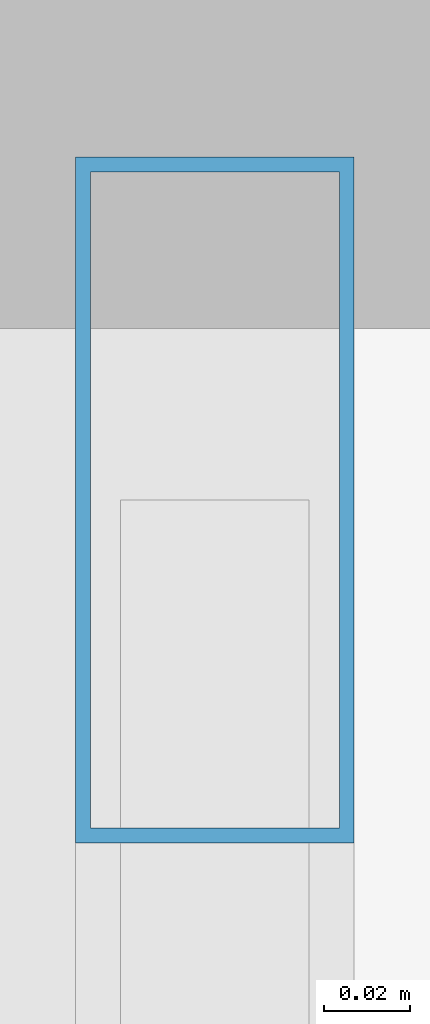
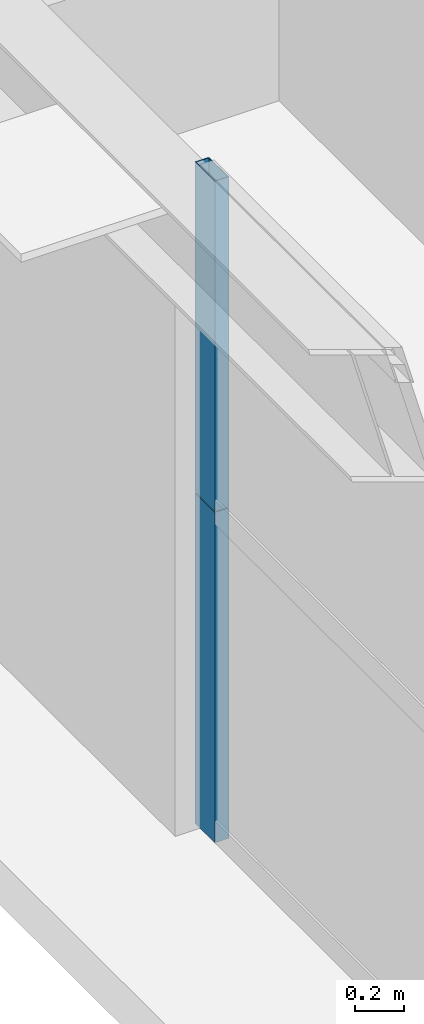
# One storey, part 22 of 37: 2 members, 1 element without a shape of its own.
"""IFC4 building model written with IfcOpenShell, lengths in metres."""

from ifc_helpers import new_model, si_unit, direction, frame, origin, origin_2d, place, context, subcontext, project, spatial, hollow_rectangle, extrude, source, transform, mapped, material, layer, layer_set, material_profile, profile_set, type_object, element, aggregate, save


model = new_model("IFC4")

# Units and contexts
model_context = context("Model", 3, precision=1e-05, world=origin(), true_north=direction((0.0, 1.0)))
body_context = subcontext(model_context, "Body", "Model", "MODEL_VIEW")
ifc_project = project(units=[si_unit("LENGTHUNIT", "METRE"), si_unit("AREAUNIT", "SQUARE_METRE"), si_unit("VOLUMEUNIT", "CUBIC_METRE"), si_unit("PLANEANGLEUNIT", "RADIAN"), si_unit("MASSUNIT", "GRAM", prefix="KILO"), si_unit("THERMODYNAMICTEMPERATUREUNIT", "KELVIN"), si_unit("POWERUNIT", "WATT")], contexts=[model_context])

# Site, building, storey
site_placement = place(None, origin())
site = spatial("IfcSite", under=ifc_project, at=site_placement, CompositionType="ELEMENT")
building_placement = place(site_placement, origin())
building = spatial("IfcBuilding", under=site, at=building_placement, Name="Yuzanri Waterfront Tower", CompositionType="ELEMENT")
storey_placement = place(building_placement, frame((0.0, 0.0, 252.10009765625)))
storey = spatial("IfcBuildingStorey", under=building, at=storey_placement, Name="L67", CompositionType="ELEMENT", Elevation=252.10009765625)

# Curtain wall, members
ifc_material_1 = material(Name="Anodized Architectural Bronze", Category="metal")
ifc_layer = layer(ifc_material_1, 0.159912109375)
ifc_layer_set = layer_set([ifc_layer], Name="Anodized Architectural Bronze")
curtain_wall_type = type_object("IfcCurtainWallType", Name="Anodized Bronze Mid-Rise Residential Acoustic Unitized Curtain Wall 7200", PredefinedType="NOTDEFINED", material=ifc_layer_set)
curtain_wall_placement = place(storey_placement, origin())
curtain_wall = element("IfcCurtainWall", 1, at=curtain_wall_placement, inside=storey, type_object=curtain_wall_type, Name="L67 Curtain Wall CW-L67-WR", PredefinedType="NOTDEFINED")
ifc_material_2 = material(Name="Anodized Architectural Bronze", Category="metal")
ifc_material_profile = material_profile(ifc_material_2, hollow_rectangle(XDim=0.06494140625, YDim=0.159912109375, WallThickness=0.00341796875, at=origin_2d()), Name="CWM 65x160")
ifc_profile_set = profile_set([ifc_material_profile], Name="Anodized Architectural Bronze")
member_type = type_object("IfcMemberType", Name="Anodized Bronze Upper-Zone Curtain-Wall Mullion 65x160", PredefinedType="MULLION", material=ifc_profile_set)
shared_shape = source(origin(), body_context, "Body", "SweptSolid", [
    extrude(hollow_rectangle(XDim=0.06494140625, YDim=0.159912109375, WallThickness=0.00341796875, at=origin_2d()), origin(), (0.0, 0.0, 1.0), 1.637939453125),
])
member_1_placement = place(storey_placement, frame((16.550048828125, 39.010009765625, 0.0), z_axis=(0.0, 0.0, 1.0), x_axis=(1.0, 0.0, 0.0)))
member_1 = element("IfcMember", 2, at=member_1_placement, type_object=member_type, Name="CW-L67-WR Lower Mullion 02", PredefinedType="MULLION", context=body_context, shape_type="MappedRepresentation", body=[
    mapped(shared_shape, transform((0.0, 0.0, 0.0), scale=1.0)),
])
member_2_placement = place(storey_placement, frame((16.550048828125, 39.010009765625, 1.641845703125), z_axis=(0.0, 0.0, 1.0), x_axis=(1.0, 0.0, 0.0)))
member_2 = element("IfcMember", 3, at=member_2_placement, type_object=member_type, Name="CW-L67-WR Upper Mullion 02", PredefinedType="MULLION", context=body_context, shape_type="MappedRepresentation", body=[
    mapped(shared_shape, transform((0.0, 0.0, 0.0), scale=1.0)),
])
aggregate(curtain_wall, [member_1, member_2])

save(model, "model.ifc")
